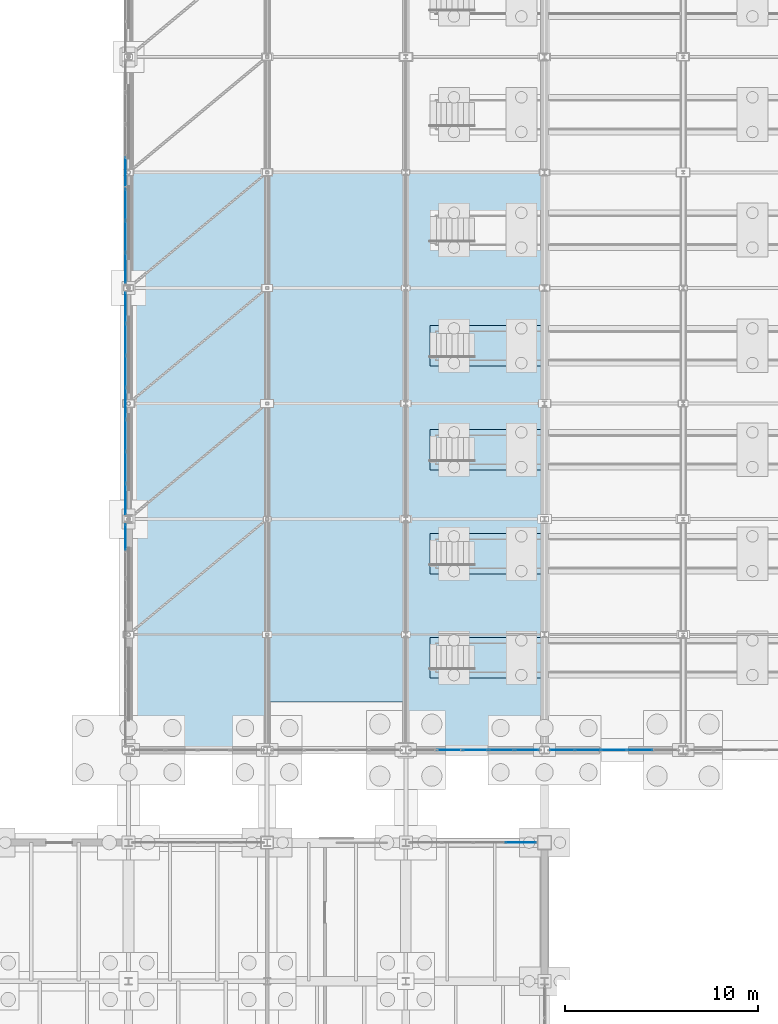
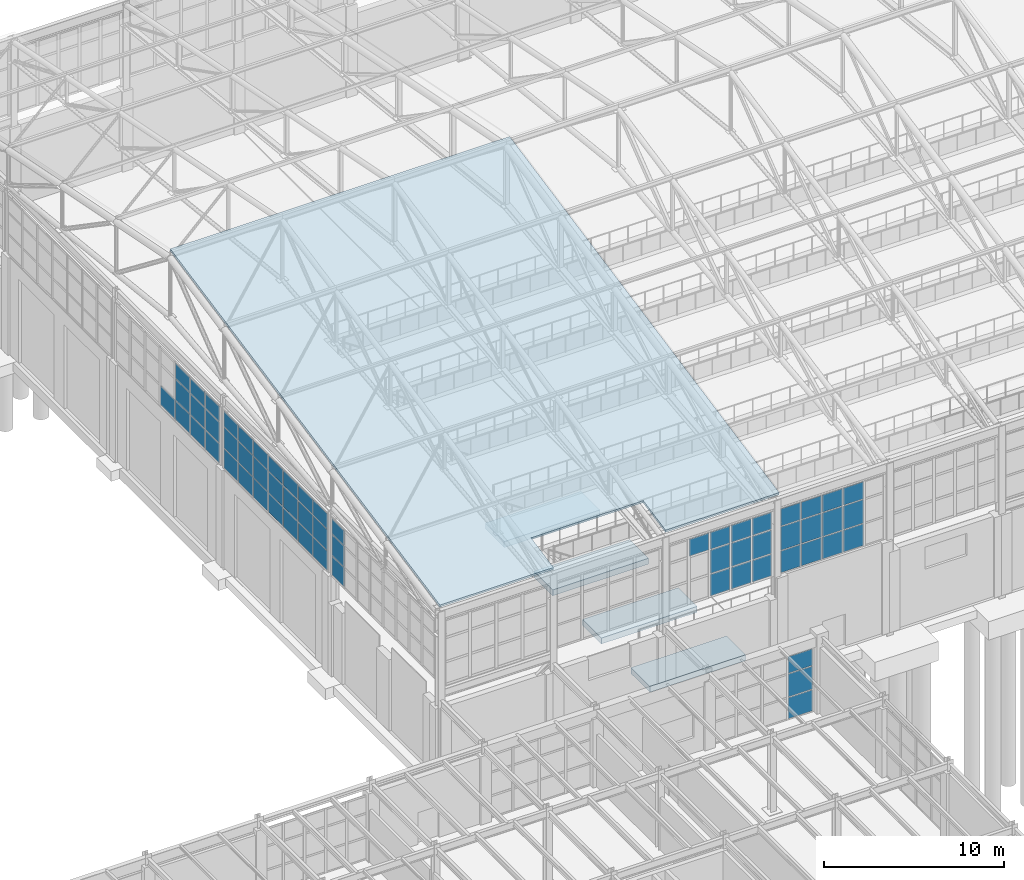
# One storey, part 239 of 293: 59 plates, 5 slabs, 6 elements without a shape of their own.
"""IFC4 building model written with IfcOpenShell, lengths in metres."""

from ifc_helpers import new_model, si_unit, direction, frame, origin, origin_2d, place, context, subcontext, project, spatial, polyline, rectangle, outline, extrude, material, layer, layer_set, type_object, element, aggregate, save


model = new_model("IFC4")

# Units and contexts
model_context = context("Model", 3, precision=1e-05, world=origin(), true_north=direction((0.0, 1.0)))
body_context = subcontext(model_context, "Body", "Model", "MODEL_VIEW")
ifc_project = project(units=[si_unit("LENGTHUNIT", "METRE"), si_unit("AREAUNIT", "SQUARE_METRE"), si_unit("VOLUMEUNIT", "CUBIC_METRE"), si_unit("PLANEANGLEUNIT", "RADIAN"), si_unit("MASSUNIT", "GRAM", prefix="KILO")], contexts=[model_context])

# Site, building, storey
site_placement = place(None, origin())
site = spatial("IfcSite", under=ifc_project, at=site_placement, CompositionType="ELEMENT")
building_placement = place(site_placement, origin())
building = spatial("IfcBuilding", under=site, at=building_placement, Name="Kemerveld Promenade Tramway Depot", CompositionType="ELEMENT")
storey_placement = place(building_placement, origin())
storey = spatial("IfcBuildingStorey", under=building, at=storey_placement, Name="L00", CompositionType="ELEMENT", Elevation=0.0)

# Curtain wall, plates
ifc_material_1 = material(Name="Bronze anodised aluminium and solar glass", Category="aluminium")
ifc_layer_1 = layer(ifc_material_1, 0.159912109375)
ifc_layer_set_1 = layer_set([ifc_layer_1], Name="CW-SYS-09")
curtain_wall_type_1 = type_object("IfcCurtainWallType", Name="CW-SYS-09", PredefinedType="USERDEFINED", material=ifc_layer_set_1)
curtain_wall_1_placement = place(storey_placement, origin())
curtain_wall_1 = element("IfcCurtainWall", 1, at=curtain_wall_1_placement, inside=storey, type_object=curtain_wall_type_1, Name="CW-V1-W-02", ObjectType="GLAZED_CURTAIN_WALL", PredefinedType="USERDEFINED")
ifc_material_2 = material(Name="Solar-control laminated double glazing", Category="glass")
ifc_layer_2 = layer(ifc_material_2, 0.028076171875)
ifc_layer_set_2 = layer_set([ifc_layer_2], Name="CW-PNL-01")
plate_type_1 = type_object("IfcPlateType", Name="CW-PNL-01", PredefinedType="CURTAIN_PANEL", material=ifc_layer_set_2)
plate_1_placement = place(storey_placement, frame((35.85009765625, 97.03076171875, 6.7099609375), z_axis=(0.0, 0.0, 1.0), x_axis=(0.0, 1.0, 0.0)))
plate_1 = element("IfcPlate", 2, at=plate_1_placement, type_object=plate_type_1, Name="CW09 panel 1.1", PredefinedType="CURTAIN_PANEL", context=body_context, shape_type="SweptSolid", body=[
    extrude(rectangle(XDim=1.564453125, YDim=0.028076171875, at=origin_2d()), origin(), (0.0, 0.0, 1.0), 1.29296875),
])
plate_2_placement = place(storey_placement, frame((35.85009765625, 97.03076171875, 8.06298828125), z_axis=(0.0, 0.0, 1.0), x_axis=(0.0, 1.0, 0.0)))
plate_2 = element("IfcPlate", 3, at=plate_2_placement, type_object=plate_type_1, Name="CW09 panel 1.2", PredefinedType="CURTAIN_PANEL", context=body_context, shape_type="SweptSolid", body=[
    extrude(rectangle(XDim=1.564453125, YDim=0.028076171875, at=origin_2d()), origin(), (0.0, 0.0, 1.0), 1.40087890625),
])
plate_3_placement = place(storey_placement, frame((35.85009765625, 97.03076171875, 9.52392578125), z_axis=(0.0, 0.0, 1.0), x_axis=(0.0, 1.0, 0.0)))
plate_3 = element("IfcPlate", 4, at=plate_3_placement, type_object=plate_type_1, Name="CW09 panel 1.3", PredefinedType="CURTAIN_PANEL", context=body_context, shape_type="SweptSolid", body=[
    extrude(rectangle(XDim=1.564453125, YDim=0.028076171875, at=origin_2d()), origin(), (0.0, 0.0, 1.0), 1.01611328125),
])
plate_4_placement = place(storey_placement, frame((35.85009765625, 98.67626953125, 6.7099609375), z_axis=(0.0, 0.0, 1.0), x_axis=(0.0, 1.0, 0.0)))
plate_4 = element("IfcPlate", 5, at=plate_4_placement, type_object=plate_type_1, Name="CW09 panel 2.1", PredefinedType="CURTAIN_PANEL", context=body_context, shape_type="SweptSolid", body=[
    extrude(rectangle(XDim=1.596923828125, YDim=0.028076171875, at=origin_2d()), origin(), (0.0, 0.0, 1.0), 1.29296875),
])
plate_5_placement = place(storey_placement, frame((35.85009765625, 98.67626953125, 8.06298828125), z_axis=(0.0, 0.0, 1.0), x_axis=(0.0, 1.0, 0.0)))
plate_5 = element("IfcPlate", 6, at=plate_5_placement, type_object=plate_type_1, Name="CW09 panel 2.2", PredefinedType="CURTAIN_PANEL", context=body_context, shape_type="SweptSolid", body=[
    extrude(rectangle(XDim=1.596923828125, YDim=0.028076171875, at=origin_2d()), origin(), (0.0, 0.0, 1.0), 1.40087890625),
])
plate_6_placement = place(storey_placement, frame((35.85009765625, 98.67626953125, 9.52392578125), z_axis=(0.0, 0.0, 1.0), x_axis=(0.0, 1.0, 0.0)))
plate_6 = element("IfcPlate", 7, at=plate_6_placement, type_object=plate_type_1, Name="CW09 panel 2.3", PredefinedType="CURTAIN_PANEL", context=body_context, shape_type="SweptSolid", body=[
    extrude(rectangle(XDim=1.596923828125, YDim=0.028076171875, at=origin_2d()), origin(), (0.0, 0.0, 1.0), 1.01611328125),
])
plate_7_placement = place(storey_placement, frame((35.85009765625, 100.338134765625, 6.7099609375), z_axis=(0.0, 0.0, 1.0), x_axis=(0.0, 1.0, 0.0)))
plate_7 = element("IfcPlate", 8, at=plate_7_placement, type_object=plate_type_1, Name="CW09 panel 3.1", PredefinedType="CURTAIN_PANEL", context=body_context, shape_type="SweptSolid", body=[
    extrude(rectangle(XDim=1.596923828125, YDim=0.028076171875, at=origin_2d()), origin(), (0.0, 0.0, 1.0), 1.29296875),
])
plate_8_placement = place(storey_placement, frame((35.85009765625, 100.338134765625, 8.06298828125), z_axis=(0.0, 0.0, 1.0), x_axis=(0.0, 1.0, 0.0)))
plate_8 = element("IfcPlate", 9, at=plate_8_placement, type_object=plate_type_1, Name="CW09 panel 3.2", PredefinedType="CURTAIN_PANEL", context=body_context, shape_type="SweptSolid", body=[
    extrude(rectangle(XDim=1.596923828125, YDim=0.028076171875, at=origin_2d()), origin(), (0.0, 0.0, 1.0), 1.40087890625),
])
plate_9_placement = place(storey_placement, frame((35.85009765625, 100.338134765625, 9.52392578125), z_axis=(0.0, 0.0, 1.0), x_axis=(0.0, 1.0, 0.0)))
plate_9 = element("IfcPlate", 10, at=plate_9_placement, type_object=plate_type_1, Name="CW09 panel 3.3", PredefinedType="CURTAIN_PANEL", context=body_context, shape_type="SweptSolid", body=[
    extrude(rectangle(XDim=1.596923828125, YDim=0.028076171875, at=origin_2d()), origin(), (0.0, 0.0, 1.0), 1.01611328125),
])
plate_10_placement = place(storey_placement, frame((35.85009765625, 102.0, 6.7099609375), z_axis=(0.0, 0.0, 1.0), x_axis=(0.0, 1.0, 0.0)))
plate_10 = element("IfcPlate", 11, at=plate_10_placement, type_object=plate_type_1, Name="CW09 panel 4.1", PredefinedType="CURTAIN_PANEL", context=body_context, shape_type="SweptSolid", body=[
    extrude(rectangle(XDim=1.596923828125, YDim=0.028076171875, at=origin_2d()), origin(), (0.0, 0.0, 1.0), 1.29296875),
])
plate_11_placement = place(storey_placement, frame((35.85009765625, 102.0, 8.06298828125), z_axis=(0.0, 0.0, 1.0), x_axis=(0.0, 1.0, 0.0)))
plate_11 = element("IfcPlate", 12, at=plate_11_placement, type_object=plate_type_1, Name="CW09 panel 4.2", PredefinedType="CURTAIN_PANEL", context=body_context, shape_type="SweptSolid", body=[
    extrude(rectangle(XDim=1.596923828125, YDim=0.028076171875, at=origin_2d()), origin(), (0.0, 0.0, 1.0), 1.40087890625),
])
plate_12_placement = place(storey_placement, frame((35.85009765625, 102.0, 9.52392578125), z_axis=(0.0, 0.0, 1.0), x_axis=(0.0, 1.0, 0.0)))
plate_12 = element("IfcPlate", 13, at=plate_12_placement, type_object=plate_type_1, Name="CW09 panel 4.3", PredefinedType="CURTAIN_PANEL", context=body_context, shape_type="SweptSolid", body=[
    extrude(rectangle(XDim=1.596923828125, YDim=0.028076171875, at=origin_2d()), origin(), (0.0, 0.0, 1.0), 1.01611328125),
])
plate_13_placement = place(storey_placement, frame((35.85009765625, 103.661865234375, 6.7099609375), z_axis=(0.0, 0.0, 1.0), x_axis=(0.0, 1.0, 0.0)))
plate_13 = element("IfcPlate", 14, at=plate_13_placement, type_object=plate_type_1, Name="CW09 panel 5.1", PredefinedType="CURTAIN_PANEL", context=body_context, shape_type="SweptSolid", body=[
    extrude(rectangle(XDim=1.596923828125, YDim=0.028076171875, at=origin_2d()), origin(), (0.0, 0.0, 1.0), 1.29296875),
])
plate_14_placement = place(storey_placement, frame((35.85009765625, 103.661865234375, 8.06298828125), z_axis=(0.0, 0.0, 1.0), x_axis=(0.0, 1.0, 0.0)))
plate_14 = element("IfcPlate", 15, at=plate_14_placement, type_object=plate_type_1, Name="CW09 panel 5.2", PredefinedType="CURTAIN_PANEL", context=body_context, shape_type="SweptSolid", body=[
    extrude(rectangle(XDim=1.596923828125, YDim=0.028076171875, at=origin_2d()), origin(), (0.0, 0.0, 1.0), 1.40087890625),
])
plate_15_placement = place(storey_placement, frame((35.85009765625, 103.661865234375, 9.52392578125), z_axis=(0.0, 0.0, 1.0), x_axis=(0.0, 1.0, 0.0)))
plate_15 = element("IfcPlate", 16, at=plate_15_placement, type_object=plate_type_1, Name="CW09 panel 5.3", PredefinedType="CURTAIN_PANEL", context=body_context, shape_type="SweptSolid", body=[
    extrude(rectangle(XDim=1.596923828125, YDim=0.028076171875, at=origin_2d()), origin(), (0.0, 0.0, 1.0), 1.01611328125),
])
plate_16_placement = place(storey_placement, frame((35.85009765625, 105.32373046875, 6.7099609375), z_axis=(0.0, 0.0, 1.0), x_axis=(0.0, 1.0, 0.0)))
plate_16 = element("IfcPlate", 17, at=plate_16_placement, type_object=plate_type_1, Name="CW09 panel 6.1", PredefinedType="CURTAIN_PANEL", context=body_context, shape_type="SweptSolid", body=[
    extrude(rectangle(XDim=1.596923828125, YDim=0.028076171875, at=origin_2d()), origin(), (0.0, 0.0, 1.0), 1.29296875),
])
plate_17_placement = place(storey_placement, frame((35.85009765625, 105.32373046875, 8.06298828125), z_axis=(0.0, 0.0, 1.0), x_axis=(0.0, 1.0, 0.0)))
plate_17 = element("IfcPlate", 18, at=plate_17_placement, type_object=plate_type_1, Name="CW09 panel 6.2", PredefinedType="CURTAIN_PANEL", context=body_context, shape_type="SweptSolid", body=[
    extrude(rectangle(XDim=1.596923828125, YDim=0.028076171875, at=origin_2d()), origin(), (0.0, 0.0, 1.0), 1.40087890625),
])
plate_18_placement = place(storey_placement, frame((35.85009765625, 105.32373046875, 9.52392578125), z_axis=(0.0, 0.0, 1.0), x_axis=(0.0, 1.0, 0.0)))
plate_18 = element("IfcPlate", 19, at=plate_18_placement, type_object=plate_type_1, Name="CW09 panel 6.3", PredefinedType="CURTAIN_PANEL", context=body_context, shape_type="SweptSolid", body=[
    extrude(rectangle(XDim=1.596923828125, YDim=0.028076171875, at=origin_2d()), origin(), (0.0, 0.0, 1.0), 1.01611328125),
])
plate_19_placement = place(storey_placement, frame((35.85009765625, 106.96923828125, 6.7099609375), z_axis=(0.0, 0.0, 1.0), x_axis=(0.0, 1.0, 0.0)))
plate_19 = element("IfcPlate", 20, at=plate_19_placement, type_object=plate_type_1, Name="CW09 panel 7.1", PredefinedType="CURTAIN_PANEL", context=body_context, shape_type="SweptSolid", body=[
    extrude(rectangle(XDim=1.564453125, YDim=0.028076171875, at=origin_2d()), origin(), (0.0, 0.0, 1.0), 1.29296875),
])
plate_20_placement = place(storey_placement, frame((35.85009765625, 106.96923828125, 8.06298828125), z_axis=(0.0, 0.0, 1.0), x_axis=(0.0, 1.0, 0.0)))
plate_20 = element("IfcPlate", 21, at=plate_20_placement, type_object=plate_type_1, Name="CW09 panel 7.2", PredefinedType="CURTAIN_PANEL", context=body_context, shape_type="SweptSolid", body=[
    extrude(rectangle(XDim=1.564453125, YDim=0.028076171875, at=origin_2d()), origin(), (0.0, 0.0, 1.0), 1.40087890625),
])
plate_21_placement = place(storey_placement, frame((35.85009765625, 106.96923828125, 9.52392578125), z_axis=(0.0, 0.0, 1.0), x_axis=(0.0, 1.0, 0.0)))
plate_21 = element("IfcPlate", 22, at=plate_21_placement, type_object=plate_type_1, Name="CW09 panel 7.3", PredefinedType="CURTAIN_PANEL", context=body_context, shape_type="SweptSolid", body=[
    extrude(rectangle(XDim=1.564453125, YDim=0.028076171875, at=origin_2d()), origin(), (0.0, 0.0, 1.0), 1.01611328125),
])
aggregate(curtain_wall_1, [plate_1, plate_2, plate_3, plate_4, plate_5, plate_6, plate_7, plate_8, plate_9, plate_10, plate_11, plate_12, plate_13, plate_14, plate_15, plate_16, plate_17, plate_18, plate_19, plate_20, plate_21])

ifc_layer_3 = layer(ifc_material_1, 0.199951171875)
ifc_layer_set_3 = layer_set([ifc_layer_3], Name="CW-SYS-10")
curtain_wall_type_2 = type_object("IfcCurtainWallType", Name="CW-SYS-10", PredefinedType="USERDEFINED", material=ifc_layer_set_3)
curtain_wall_2_placement = place(storey_placement, origin())
curtain_wall_2 = element("IfcCurtainWall", 23, at=curtain_wall_2_placement, inside=storey, type_object=curtain_wall_type_2, Name="CW-V1-W-03", ObjectType="GLAZED_CURTAIN_WALL", PredefinedType="USERDEFINED")
ifc_layer_4 = layer(ifc_material_2, 0.028076171875)
ifc_layer_set_4 = layer_set([ifc_layer_4], Name="CW-PNL-02")
plate_type_2 = type_object("IfcPlateType", Name="CW-PNL-02", PredefinedType="CURTAIN_PANEL", material=ifc_layer_set_4)
plate_22_placement = place(storey_placement, frame((35.85009765625, 109.033203125, 6.71484375), z_axis=(0.0, 0.0, 1.0), x_axis=(0.0, 1.0, 0.0)))
plate_22 = element("IfcPlate", 24, at=plate_22_placement, type_object=plate_type_2, Name="CW10 panel 1.1", PredefinedType="CURTAIN_PANEL", context=body_context, shape_type="SweptSolid", body=[
    extrude(rectangle(XDim=1.54931640625, YDim=0.028076171875, at=origin_2d()), origin(), (0.0, 0.0, 1.0), 1.285400390625),
])
plate_23_placement = place(storey_placement, frame((35.85009765625, 109.033203125, 8.0654296875), z_axis=(0.0, 0.0, 1.0), x_axis=(0.0, 1.0, 0.0)))
plate_23 = element("IfcPlate", 25, at=plate_23_placement, type_object=plate_type_2, Name="CW10 panel 1.2", PredefinedType="CURTAIN_PANEL", context=body_context, shape_type="SweptSolid", body=[
    extrude(rectangle(XDim=1.54931640625, YDim=0.028076171875, at=origin_2d()), origin(), (0.0, 0.0, 1.0), 1.39599609375),
])
plate_24_placement = place(storey_placement, frame((35.85009765625, 109.033203125, 9.5263671875), z_axis=(0.0, 0.0, 1.0), x_axis=(0.0, 1.0, 0.0)))
plate_24 = element("IfcPlate", 26, at=plate_24_placement, type_object=plate_type_2, Name="CW10 panel 1.3", PredefinedType="CURTAIN_PANEL", context=body_context, shape_type="SweptSolid", body=[
    extrude(rectangle(XDim=1.54931640625, YDim=0.028076171875, at=origin_2d()), origin(), (0.0, 0.0, 1.0), 1.008544921875),
])
plate_25_placement = place(storey_placement, frame((35.85009765625, 110.67626953125, 6.71484375), z_axis=(0.0, 0.0, 1.0), x_axis=(0.0, 1.0, 0.0)))
plate_25 = element("IfcPlate", 27, at=plate_25_placement, type_object=plate_type_2, Name="CW10 panel 2.1", PredefinedType="CURTAIN_PANEL", context=body_context, shape_type="SweptSolid", body=[
    extrude(rectangle(XDim=1.5869140625, YDim=0.028076171875, at=origin_2d()), origin(), (0.0, 0.0, 1.0), 1.285400390625),
])
plate_26_placement = place(storey_placement, frame((35.85009765625, 110.67626953125, 8.0654296875), z_axis=(0.0, 0.0, 1.0), x_axis=(0.0, 1.0, 0.0)))
plate_26 = element("IfcPlate", 28, at=plate_26_placement, type_object=plate_type_2, Name="CW10 panel 2.2", PredefinedType="CURTAIN_PANEL", context=body_context, shape_type="SweptSolid", body=[
    extrude(rectangle(XDim=1.5869140625, YDim=0.028076171875, at=origin_2d()), origin(), (0.0, 0.0, 1.0), 1.39599609375),
])
plate_27_placement = place(storey_placement, frame((35.85009765625, 110.67626953125, 9.5263671875), z_axis=(0.0, 0.0, 1.0), x_axis=(0.0, 1.0, 0.0)))
plate_27 = element("IfcPlate", 29, at=plate_27_placement, type_object=plate_type_2, Name="CW10 panel 2.3", PredefinedType="CURTAIN_PANEL", context=body_context, shape_type="SweptSolid", body=[
    extrude(rectangle(XDim=1.5869140625, YDim=0.028076171875, at=origin_2d()), origin(), (0.0, 0.0, 1.0), 1.008544921875),
])
plate_28_placement = place(storey_placement, frame((35.85009765625, 112.338134765625, 6.71484375), z_axis=(0.0, 0.0, 1.0), x_axis=(0.0, 1.0, 0.0)))
plate_28 = element("IfcPlate", 30, at=plate_28_placement, type_object=plate_type_2, Name="CW10 panel 3.1", PredefinedType="CURTAIN_PANEL", context=body_context, shape_type="SweptSolid", body=[
    extrude(rectangle(XDim=1.5869140625, YDim=0.028076171875, at=origin_2d()), origin(), (0.0, 0.0, 1.0), 1.285400390625),
])
plate_29_placement = place(storey_placement, frame((35.85009765625, 112.338134765625, 8.0654296875), z_axis=(0.0, 0.0, 1.0), x_axis=(0.0, 1.0, 0.0)))
plate_29 = element("IfcPlate", 31, at=plate_29_placement, type_object=plate_type_2, Name="CW10 panel 3.2", PredefinedType="CURTAIN_PANEL", context=body_context, shape_type="SweptSolid", body=[
    extrude(rectangle(XDim=1.5869140625, YDim=0.028076171875, at=origin_2d()), origin(), (0.0, 0.0, 1.0), 1.39599609375),
])
plate_30_placement = place(storey_placement, frame((35.85009765625, 112.338134765625, 9.5263671875), z_axis=(0.0, 0.0, 1.0), x_axis=(0.0, 1.0, 0.0)))
plate_30 = element("IfcPlate", 32, at=plate_30_placement, type_object=plate_type_2, Name="CW10 panel 3.3", PredefinedType="CURTAIN_PANEL", context=body_context, shape_type="SweptSolid", body=[
    extrude(rectangle(XDim=1.5869140625, YDim=0.028076171875, at=origin_2d()), origin(), (0.0, 0.0, 1.0), 1.008544921875),
])
plate_31_placement = place(storey_placement, frame((35.85009765625, 114.0, 6.71484375), z_axis=(0.0, 0.0, 1.0), x_axis=(0.0, 1.0, 0.0)))
plate_31 = element("IfcPlate", 33, at=plate_31_placement, type_object=plate_type_2, Name="CW10 panel 4.1", PredefinedType="CURTAIN_PANEL", context=body_context, shape_type="SweptSolid", body=[
    extrude(rectangle(XDim=1.5869140625, YDim=0.028076171875, at=origin_2d()), origin(), (0.0, 0.0, 1.0), 1.285400390625),
])
aggregate(curtain_wall_2, [plate_22, plate_23, plate_24, plate_25, plate_26, plate_27, plate_28, plate_29, plate_30, plate_31])

ifc_layer_5 = layer(ifc_material_1, 0.159912109375)
ifc_layer_set_5 = layer_set([ifc_layer_5], Name="CW-SYS-11")
curtain_wall_type_3 = type_object("IfcCurtainWallType", Name="CW-SYS-11", PredefinedType="USERDEFINED", material=ifc_layer_set_5)
curtain_wall_3_placement = place(storey_placement, origin())
curtain_wall_3 = element("IfcCurtainWall", 34, at=curtain_wall_3_placement, inside=storey, type_object=curtain_wall_type_3, Name="CW-L00-V5N-08", ObjectType="GLAZED_CURTAIN_WALL", PredefinedType="USERDEFINED")
ifc_layer_6 = layer(ifc_material_2, 0.028076171875)
ifc_layer_set_6 = layer_set([ifc_layer_6], Name="CW-PNL-03")
plate_type_3 = type_object("IfcPlateType", Name="CW-PNL-03", PredefinedType="CURTAIN_PANEL", material=ifc_layer_set_6)
plate_32_placement = place(storey_placement, frame((56.364013671875, 79.199951171875, 0.06005859375), z_axis=(0.0, 0.0, 1.0), x_axis=(1.0, 0.0, 0.0)))
plate_32 = element("IfcPlate", 35, at=plate_32_placement, type_object=plate_type_3, Name="CW11 panel 4.1", PredefinedType="CURTAIN_PANEL", context=body_context, shape_type="SweptSolid", body=[
    extrude(rectangle(XDim=1.55224609375, YDim=0.028076171875, at=origin_2d()), origin(), (0.0, 0.0, 1.0), 1.425048828125),
])
plate_33_placement = place(storey_placement, frame((56.364013671875, 79.199951171875, 1.544921875), z_axis=(0.0, 0.0, 1.0), x_axis=(1.0, 0.0, 0.0)))
plate_33 = element("IfcPlate", 36, at=plate_33_placement, type_object=plate_type_3, Name="CW11 panel 4.2", PredefinedType="CURTAIN_PANEL", context=body_context, shape_type="SweptSolid", body=[
    extrude(rectangle(XDim=1.55224609375, YDim=0.028076171875, at=origin_2d()), origin(), (0.0, 0.0, 1.0), 1.54296875),
])
plate_34_placement = place(storey_placement, frame((56.364013671875, 79.199951171875, 3.14794921875), z_axis=(0.0, 0.0, 1.0), x_axis=(1.0, 0.0, 0.0)))
plate_34 = element("IfcPlate", 37, at=plate_34_placement, type_object=plate_type_3, Name="CW11 panel 4.3", PredefinedType="CURTAIN_PANEL", context=body_context, shape_type="SweptSolid", body=[
    extrude(rectangle(XDim=1.55224609375, YDim=0.028076171875, at=origin_2d()), origin(), (0.0, 0.0, 1.0), 1.1220703125),
])
aggregate(curtain_wall_3, [plate_32, plate_33, plate_34])

ifc_layer_7 = layer(ifc_material_1, 0.199951171875)
ifc_layer_set_7 = layer_set([ifc_layer_7], Name="CW-SYS-06")
curtain_wall_type_4 = type_object("IfcCurtainWallType", Name="CW-SYS-06", PredefinedType="USERDEFINED", material=ifc_layer_set_7)
curtain_wall_4_placement = place(storey_placement, origin())
curtain_wall_4 = element("IfcCurtainWall", 38, at=curtain_wall_4_placement, inside=storey, type_object=curtain_wall_type_4, Name="CW-V1-S-03", ObjectType="GLAZED_CURTAIN_WALL", PredefinedType="USERDEFINED")
ifc_layer_8 = layer(ifc_material_2, 0.02587890625)
ifc_layer_set_8 = layer_set([ifc_layer_8], Name="CW-PNL-06")
plate_type_4 = type_object("IfcPlateType", Name="CW-PNL-06", PredefinedType="CURTAIN_PANEL", material=ifc_layer_set_8)
plate_35_placement = place(storey_placement, frame((56.6826171875, 84.0, 6.26513671875), z_axis=(0.0, 0.0, 1.0), x_axis=(-1.0, 0.0, 0.0)))
plate_35 = element("IfcPlate", 39, at=plate_35_placement, type_object=plate_type_4, Name="CW06 panel 1.1", PredefinedType="CURTAIN_PANEL", context=body_context, shape_type="SweptSolid", body=[
    extrude(rectangle(XDim=1.23828125, YDim=0.02587890625, at=origin_2d()), origin(), (0.0, 0.0, 1.0), 1.46044921875),
])
plate_36_placement = place(storey_placement, frame((56.6826171875, 84.0, 7.79052734375), z_axis=(0.0, 0.0, 1.0), x_axis=(-1.0, 0.0, 0.0)))
plate_36 = element("IfcPlate", 40, at=plate_36_placement, type_object=plate_type_4, Name="CW06 panel 1.2", PredefinedType="CURTAIN_PANEL", context=body_context, shape_type="SweptSolid", body=[
    extrude(rectangle(XDim=1.23828125, YDim=0.02587890625, at=origin_2d()), origin(), (0.0, 0.0, 1.0), 1.5810546875),
])
plate_37_placement = place(storey_placement, frame((56.6826171875, 84.0, 9.4365234375), z_axis=(0.0, 0.0, 1.0), x_axis=(-1.0, 0.0, 0.0)))
plate_37 = element("IfcPlate", 41, at=plate_37_placement, type_object=plate_type_4, Name="CW06 panel 1.3", PredefinedType="CURTAIN_PANEL", context=body_context, shape_type="SweptSolid", body=[
    extrude(rectangle(XDim=1.23828125, YDim=0.02587890625, at=origin_2d()), origin(), (0.0, 0.0, 1.0), 1.1484375),
])
plate_38_placement = place(storey_placement, frame((55.350830078125, 84.0, 6.26513671875), z_axis=(0.0, 0.0, 1.0), x_axis=(-1.0, 0.0, 0.0)))
plate_38 = element("IfcPlate", 42, at=plate_38_placement, type_object=plate_type_4, Name="CW06 panel 2.1", PredefinedType="CURTAIN_PANEL", context=body_context, shape_type="SweptSolid", body=[
    extrude(rectangle(XDim=1.275634765625, YDim=0.02587890625, at=origin_2d()), origin(), (0.0, 0.0, 1.0), 1.46044921875),
])
plate_39_placement = place(storey_placement, frame((55.350830078125, 84.0, 7.79052734375), z_axis=(0.0, 0.0, 1.0), x_axis=(-1.0, 0.0, 0.0)))
plate_39 = element("IfcPlate", 43, at=plate_39_placement, type_object=plate_type_4, Name="CW06 panel 2.2", PredefinedType="CURTAIN_PANEL", context=body_context, shape_type="SweptSolid", body=[
    extrude(rectangle(XDim=1.275634765625, YDim=0.02587890625, at=origin_2d()), origin(), (0.0, 0.0, 1.0), 1.5810546875),
])
plate_40_placement = place(storey_placement, frame((55.350830078125, 84.0, 9.4365234375), z_axis=(0.0, 0.0, 1.0), x_axis=(-1.0, 0.0, 0.0)))
plate_40 = element("IfcPlate", 44, at=plate_40_placement, type_object=plate_type_4, Name="CW06 panel 2.3", PredefinedType="CURTAIN_PANEL", context=body_context, shape_type="SweptSolid", body=[
    extrude(rectangle(XDim=1.275634765625, YDim=0.02587890625, at=origin_2d()), origin(), (0.0, 0.0, 1.0), 1.1484375),
])
plate_41_placement = place(storey_placement, frame((54.0, 84.0, 6.26513671875), z_axis=(0.0, 0.0, 1.0), x_axis=(-1.0, 0.0, 0.0)))
plate_41 = element("IfcPlate", 45, at=plate_41_placement, type_object=plate_type_4, Name="CW06 panel 3.1", PredefinedType="CURTAIN_PANEL", context=body_context, shape_type="SweptSolid", body=[
    extrude(rectangle(XDim=1.275634765625, YDim=0.02587890625, at=origin_2d()), origin(), (0.0, 0.0, 1.0), 1.46044921875),
])
plate_42_placement = place(storey_placement, frame((54.0, 84.0, 7.79052734375), z_axis=(0.0, 0.0, 1.0), x_axis=(-1.0, 0.0, 0.0)))
plate_42 = element("IfcPlate", 46, at=plate_42_placement, type_object=plate_type_4, Name="CW06 panel 3.2", PredefinedType="CURTAIN_PANEL", context=body_context, shape_type="SweptSolid", body=[
    extrude(rectangle(XDim=1.275634765625, YDim=0.02587890625, at=origin_2d()), origin(), (0.0, 0.0, 1.0), 1.5810546875),
])
plate_43_placement = place(storey_placement, frame((54.0, 84.0, 9.4365234375), z_axis=(0.0, 0.0, 1.0), x_axis=(-1.0, 0.0, 0.0)))
plate_43 = element("IfcPlate", 47, at=plate_43_placement, type_object=plate_type_4, Name="CW06 panel 3.3", PredefinedType="CURTAIN_PANEL", context=body_context, shape_type="SweptSolid", body=[
    extrude(rectangle(XDim=1.275634765625, YDim=0.02587890625, at=origin_2d()), origin(), (0.0, 0.0, 1.0), 1.1484375),
])
plate_44_placement = place(storey_placement, frame((52.649169921875, 84.0, 9.4365234375), z_axis=(0.0, 0.0, 1.0), x_axis=(-1.0, 0.0, 0.0)))
plate_44 = element("IfcPlate", 48, at=plate_44_placement, type_object=plate_type_4, Name="CW06 panel 4.3", PredefinedType="CURTAIN_PANEL", context=body_context, shape_type="SweptSolid", body=[
    extrude(rectangle(XDim=1.275634765625, YDim=0.02587890625, at=origin_2d()), origin(), (0.0, 0.0, 1.0), 1.1484375),
])
aggregate(curtain_wall_4, [plate_35, plate_36, plate_37, plate_38, plate_39, plate_40, plate_41, plate_42, plate_43, plate_44])

ifc_layer_9 = layer(ifc_material_1, 0.159912109375)
ifc_layer_set_9 = layer_set([ifc_layer_9], Name="CW-SYS-07")
curtain_wall_type_5 = type_object("IfcCurtainWallType", Name="CW-SYS-07", PredefinedType="USERDEFINED", material=ifc_layer_set_9)
curtain_wall_5_placement = place(storey_placement, origin())
curtain_wall_5 = element("IfcCurtainWall", 49, at=curtain_wall_5_placement, inside=storey, type_object=curtain_wall_type_5, Name="CW-V1-S-04", ObjectType="GLAZED_CURTAIN_WALL", PredefinedType="USERDEFINED")
ifc_layer_10 = layer(ifc_material_2, 0.030029296875)
ifc_layer_set_10 = layer_set([ifc_layer_10], Name="CW-PNL-07")
plate_type_5 = type_object("IfcPlateType", Name="CW-PNL-07", PredefinedType="CURTAIN_PANEL", material=ifc_layer_set_10)
plate_45_placement = place(storey_placement, frame((62.55078125, 84.0, 6.259765625), z_axis=(0.0, 0.0, 1.0), x_axis=(-1.0, 0.0, 0.0)))
plate_45 = element("IfcPlate", 50, at=plate_45_placement, type_object=plate_type_5, Name="CW07 panel 2.1", PredefinedType="CURTAIN_PANEL", context=body_context, shape_type="SweptSolid", body=[
    extrude(rectangle(XDim=1.28564453125, YDim=0.030029296875, at=origin_2d()), origin(), (0.0, 0.0, 1.0), 1.468017578125),
])
plate_46_placement = place(storey_placement, frame((62.55078125, 84.0, 7.7880859375), z_axis=(0.0, 0.0, 1.0), x_axis=(-1.0, 0.0, 0.0)))
plate_46 = element("IfcPlate", 51, at=plate_46_placement, type_object=plate_type_5, Name="CW07 panel 2.2", PredefinedType="CURTAIN_PANEL", context=body_context, shape_type="SweptSolid", body=[
    extrude(rectangle(XDim=1.28564453125, YDim=0.030029296875, at=origin_2d()), origin(), (0.0, 0.0, 1.0), 1.5859375),
])
plate_47_placement = place(storey_placement, frame((62.55078125, 84.0, 9.43408203125), z_axis=(0.0, 0.0, 1.0), x_axis=(-1.0, 0.0, 0.0)))
plate_47 = element("IfcPlate", 52, at=plate_47_placement, type_object=plate_type_5, Name="CW07 panel 2.3", PredefinedType="CURTAIN_PANEL", context=body_context, shape_type="SweptSolid", body=[
    extrude(rectangle(XDim=1.28564453125, YDim=0.030029296875, at=origin_2d()), origin(), (0.0, 0.0, 1.0), 1.156005859375),
])
plate_48_placement = place(storey_placement, frame((61.199951171875, 84.0, 6.259765625), z_axis=(0.0, 0.0, 1.0), x_axis=(-1.0, 0.0, 0.0)))
plate_48 = element("IfcPlate", 53, at=plate_48_placement, type_object=plate_type_5, Name="CW07 panel 3.1", PredefinedType="CURTAIN_PANEL", context=body_context, shape_type="SweptSolid", body=[
    extrude(rectangle(XDim=1.28564453125, YDim=0.030029296875, at=origin_2d()), origin(), (0.0, 0.0, 1.0), 1.468017578125),
])
plate_49_placement = place(storey_placement, frame((61.199951171875, 84.0, 7.7880859375), z_axis=(0.0, 0.0, 1.0), x_axis=(-1.0, 0.0, 0.0)))
plate_49 = element("IfcPlate", 54, at=plate_49_placement, type_object=plate_type_5, Name="CW07 panel 3.2", PredefinedType="CURTAIN_PANEL", context=body_context, shape_type="SweptSolid", body=[
    extrude(rectangle(XDim=1.28564453125, YDim=0.030029296875, at=origin_2d()), origin(), (0.0, 0.0, 1.0), 1.5859375),
])
plate_50_placement = place(storey_placement, frame((61.199951171875, 84.0, 9.43408203125), z_axis=(0.0, 0.0, 1.0), x_axis=(-1.0, 0.0, 0.0)))
plate_50 = element("IfcPlate", 55, at=plate_50_placement, type_object=plate_type_5, Name="CW07 panel 3.3", PredefinedType="CURTAIN_PANEL", context=body_context, shape_type="SweptSolid", body=[
    extrude(rectangle(XDim=1.28564453125, YDim=0.030029296875, at=origin_2d()), origin(), (0.0, 0.0, 1.0), 1.156005859375),
])
plate_51_placement = place(storey_placement, frame((59.849365234375, 84.0, 6.259765625), z_axis=(0.0, 0.0, 1.0), x_axis=(-1.0, 0.0, 0.0)))
plate_51 = element("IfcPlate", 56, at=plate_51_placement, type_object=plate_type_5, Name="CW07 panel 4.1", PredefinedType="CURTAIN_PANEL", context=body_context, shape_type="SweptSolid", body=[
    extrude(rectangle(XDim=1.28564453125, YDim=0.030029296875, at=origin_2d()), origin(), (0.0, 0.0, 1.0), 1.468017578125),
])
plate_52_placement = place(storey_placement, frame((59.849365234375, 84.0, 7.7880859375), z_axis=(0.0, 0.0, 1.0), x_axis=(-1.0, 0.0, 0.0)))
plate_52 = element("IfcPlate", 57, at=plate_52_placement, type_object=plate_type_5, Name="CW07 panel 4.2", PredefinedType="CURTAIN_PANEL", context=body_context, shape_type="SweptSolid", body=[
    extrude(rectangle(XDim=1.28564453125, YDim=0.030029296875, at=origin_2d()), origin(), (0.0, 0.0, 1.0), 1.5859375),
])
plate_53_placement = place(storey_placement, frame((59.849365234375, 84.0, 9.43408203125), z_axis=(0.0, 0.0, 1.0), x_axis=(-1.0, 0.0, 0.0)))
plate_53 = element("IfcPlate", 58, at=plate_53_placement, type_object=plate_type_5, Name="CW07 panel 4.3", PredefinedType="CURTAIN_PANEL", context=body_context, shape_type="SweptSolid", body=[
    extrude(rectangle(XDim=1.28564453125, YDim=0.030029296875, at=origin_2d()), origin(), (0.0, 0.0, 1.0), 1.156005859375),
])
plate_54_placement = place(storey_placement, frame((58.514892578125, 84.0, 6.259765625), z_axis=(0.0, 0.0, 1.0), x_axis=(-1.0, 0.0, 0.0)))
plate_54 = element("IfcPlate", 59, at=plate_54_placement, type_object=plate_type_5, Name="CW07 panel 5.1", PredefinedType="CURTAIN_PANEL", context=body_context, shape_type="SweptSolid", body=[
    extrude(rectangle(XDim=1.253173828125, YDim=0.030029296875, at=origin_2d()), origin(), (0.0, 0.0, 1.0), 1.468017578125),
])
plate_55_placement = place(storey_placement, frame((58.514892578125, 84.0, 7.7880859375), z_axis=(0.0, 0.0, 1.0), x_axis=(-1.0, 0.0, 0.0)))
plate_55 = element("IfcPlate", 60, at=plate_55_placement, type_object=plate_type_5, Name="CW07 panel 5.2", PredefinedType="CURTAIN_PANEL", context=body_context, shape_type="SweptSolid", body=[
    extrude(rectangle(XDim=1.253173828125, YDim=0.030029296875, at=origin_2d()), origin(), (0.0, 0.0, 1.0), 1.5859375),
])
plate_56_placement = place(storey_placement, frame((58.514892578125, 84.0, 9.43408203125), z_axis=(0.0, 0.0, 1.0), x_axis=(-1.0, 0.0, 0.0)))
plate_56 = element("IfcPlate", 61, at=plate_56_placement, type_object=plate_type_5, Name="CW07 panel 5.3", PredefinedType="CURTAIN_PANEL", context=body_context, shape_type="SweptSolid", body=[
    extrude(rectangle(XDim=1.253173828125, YDim=0.030029296875, at=origin_2d()), origin(), (0.0, 0.0, 1.0), 1.156005859375),
])
aggregate(curtain_wall_5, [plate_45, plate_46, plate_47, plate_48, plate_49, plate_50, plate_51, plate_52, plate_53, plate_54, plate_55, plate_56])

ifc_layer_11 = layer(ifc_material_1, 0.199951171875)
ifc_layer_set_11 = layer_set([ifc_layer_11], Name="CW-SYS-08")
curtain_wall_type_6 = type_object("IfcCurtainWallType", Name="CW-SYS-08", PredefinedType="USERDEFINED", material=ifc_layer_set_11)
curtain_wall_6_placement = place(storey_placement, origin())
curtain_wall_6 = element("IfcCurtainWall", 62, at=curtain_wall_6_placement, inside=storey, type_object=curtain_wall_type_6, Name="CW-V1-W-01", ObjectType="GLAZED_CURTAIN_WALL", PredefinedType="USERDEFINED")
ifc_layer_12 = layer(ifc_material_2, 0.028076171875)
ifc_layer_set_12 = layer_set([ifc_layer_12], Name="CW-PNL-08")
plate_type_6 = type_object("IfcPlateType", Name="CW-PNL-08", PredefinedType="CURTAIN_PANEL", material=ifc_layer_set_12)
plate_57_placement = place(storey_placement, frame((35.85009765625, 95.0732421875, 6.71484375), z_axis=(0.0, 0.0, 1.0), x_axis=(0.0, 1.0, 0.0)))
plate_57 = element("IfcPlate", 63, at=plate_57_placement, type_object=plate_type_6, Name="CW08 panel 8.1", PredefinedType="CURTAIN_PANEL", context=body_context, shape_type="SweptSolid", body=[
    extrude(rectangle(XDim=1.336669921875, YDim=0.028076171875, at=origin_2d()), origin(), (0.0, 0.0, 1.0), 1.285400390625),
])
plate_58_placement = place(storey_placement, frame((35.85009765625, 95.0732421875, 8.0654296875), z_axis=(0.0, 0.0, 1.0), x_axis=(0.0, 1.0, 0.0)))
plate_58 = element("IfcPlate", 64, at=plate_58_placement, type_object=plate_type_6, Name="CW08 panel 8.2", PredefinedType="CURTAIN_PANEL", context=body_context, shape_type="SweptSolid", body=[
    extrude(rectangle(XDim=1.336669921875, YDim=0.028076171875, at=origin_2d()), origin(), (0.0, 0.0, 1.0), 1.39599609375),
])
plate_59_placement = place(storey_placement, frame((35.85009765625, 95.0732421875, 9.5263671875), z_axis=(0.0, 0.0, 1.0), x_axis=(0.0, 1.0, 0.0)))
plate_59 = element("IfcPlate", 65, at=plate_59_placement, type_object=plate_type_6, Name="CW08 panel 8.3", PredefinedType="CURTAIN_PANEL", context=body_context, shape_type="SweptSolid", body=[
    extrude(rectangle(XDim=1.336669921875, YDim=0.028076171875, at=origin_2d()), origin(), (0.0, 0.0, 1.0), 1.008544921875),
])
aggregate(curtain_wall_6, [plate_57, plate_58, plate_59])

# Slabs
ifc_material_3 = material(Name="Concrete C40/50", Category="concrete")
ifc_layer_13 = layer(ifc_material_3, 0.39990234375)
ifc_layer_set_13 = layer_set([ifc_layer_13], Name="SL-BS03")
slab_type_1 = type_object("IfcSlabType", Name="SL-BS03", PredefinedType="BASESLAB", material=ifc_layer_set_13)
slab_1_placement = place(storey_placement, frame((0.0, 0.0, -1.949951171875)))
element("IfcSlab", 66, at=slab_1_placement, inside=storey, type_object=slab_type_1, Name="SLB-PIT-01-W", PredefinedType="BASESLAB", context=body_context, shape_type="SweptSolid", body=[
    extrude(outline(polyline([(51.64990234375, 87.75), (57.800048828125, 87.75), (57.800048828125, 89.85009765625), (51.64990234375, 89.85009765625), (51.64990234375, 87.75)])), origin(), (0.0, 0.0, 1.0), 0.39990234375),
])
slab_2_placement = place(storey_placement, frame((0.0, 0.0, -1.949951171875)))
element("IfcSlab", 67, at=slab_2_placement, inside=storey, type_object=slab_type_1, Name="SLB-PIT-02-W", PredefinedType="BASESLAB", context=body_context, shape_type="SweptSolid", body=[
    extrude(outline(polyline([(51.64990234375, 93.14990234375), (57.800048828125, 93.14990234375), (57.800048828125, 95.25), (51.64990234375, 95.25), (51.64990234375, 93.14990234375)])), origin(), (0.0, 0.0, 1.0), 0.39990234375),
])
slab_3_placement = place(storey_placement, frame((0.0, 0.0, -1.949951171875)))
element("IfcSlab", 68, at=slab_3_placement, inside=storey, type_object=slab_type_1, Name="SLB-PIT-03-W", PredefinedType="BASESLAB", context=body_context, shape_type="SweptSolid", body=[
    extrude(outline(polyline([(51.64990234375, 98.550048828125), (57.800048828125, 98.550048828125), (57.800048828125, 100.64990234375), (51.64990234375, 100.64990234375), (51.64990234375, 98.550048828125)])), origin(), (0.0, 0.0, 1.0), 0.39990234375),
])
slab_4_placement = place(storey_placement, frame((0.0, 0.0, -1.949951171875)))
element("IfcSlab", 69, at=slab_4_placement, inside=storey, type_object=slab_type_1, Name="SLB-PIT-04-W", PredefinedType="BASESLAB", context=body_context, shape_type="SweptSolid", body=[
    extrude(outline(polyline([(51.64990234375, 103.949951171875), (57.800048828125, 103.949951171875), (57.800048828125, 106.050048828125), (51.64990234375, 106.050048828125), (51.64990234375, 103.949951171875)])), origin(), (0.0, 0.0, 1.0), 0.39990234375),
])
ifc_material_4 = material(Name="Concrete C35/45", Category="concrete")
ifc_layer_14 = layer(ifc_material_4, 0.159912109375)
ifc_layer_set_14 = layer_set([ifc_layer_14], Name="SL-RF02")
slab_type_2 = type_object("IfcSlabType", Name="SL-RF02", PredefinedType="ROOF", material=ifc_layer_set_14)
slab_5_placement = place(storey_placement, frame((36.0, 84.0, 11.719970703125), z_axis=(0.0, -0.196116135138, 0.980580675691), x_axis=(1.0, 0.0, 0.0)))
element("IfcSlab", 70, at=slab_5_placement, inside=storey, type_object=slab_type_2, Name="SLB-RF-V1S-S1", PredefinedType="ROOF", context=body_context, shape_type="SweptSolid", body=[
    extrude(outline(polyline([(0.0, 0.0), (7.300048828125, 0.0), (7.300048828125, 2.5495097567963922), (14.5, 2.5495097567963922), (14.5, 0.0), (21.800048828125, 0.0), (21.800048828125, 30.594117081556707), (0.0, 30.594117081556707), (0.0, 0.0)])), origin(), (0.0, 0.0, -1.0), 0.159912109375),
])

save(model, "model.ifc")
